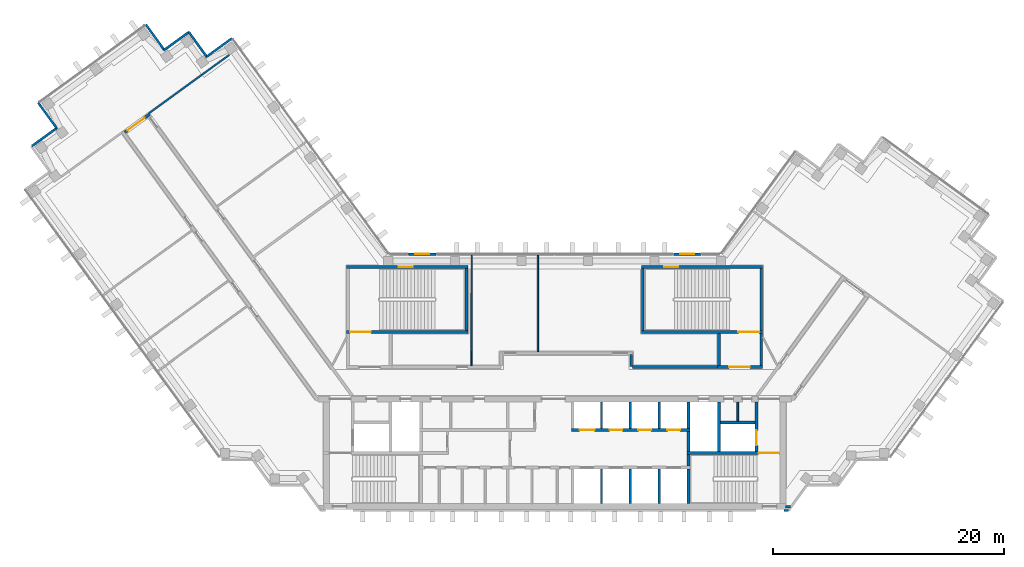
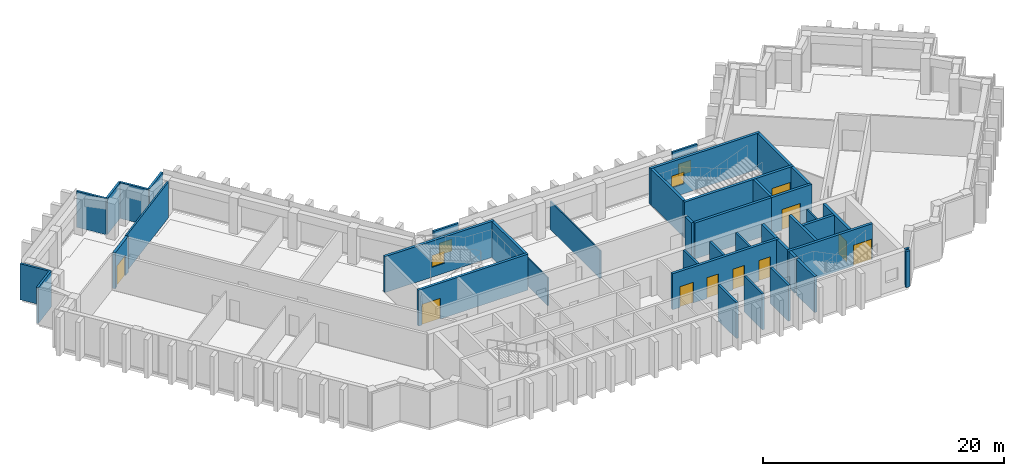
# One storey, part 6 of 9: 42 walls, 10 doors, 4 windows, 14 openings.
"""IFC4 building model written with IfcOpenShell, lengths in metres."""

from ifc_helpers import new_model, si_unit, direction, frame, frame_2d, origin, place, context, subcontext, project, spatial, rectangle, extrude, material, layer, layer_set, type_object, element, fill, save


model = new_model("IFC4")

# Units and contexts
model_context = context("Model", 3, precision=1e-05, world=origin(), true_north=direction((0.0, 1.0)))
body_context = subcontext(model_context, "Body", "Model", "MODEL_VIEW")
ifc_project = project(units=[si_unit("LENGTHUNIT", "METRE"), si_unit("AREAUNIT", "SQUARE_METRE"), si_unit("VOLUMEUNIT", "CUBIC_METRE"), si_unit("PLANEANGLEUNIT", "RADIAN"), si_unit("MASSUNIT", "GRAM", prefix="KILO")], contexts=[model_context])

# Site, building, storey
site_placement = place(None, origin())
site = spatial("IfcSite", under=ifc_project, at=site_placement, CompositionType="ELEMENT")
building_placement = place(site_placement, origin())
building = spatial("IfcBuilding", under=site, at=building_placement, Name="Quipu Civic Tower", CompositionType="ELEMENT")
storey_placement = place(building_placement, frame((0.0, 0.0, 194.0)))
storey = spatial("IfcBuildingStorey", under=building, at=storey_placement, Name="L45", CompositionType="ELEMENT", Elevation=194.0)

# Walls
ifc_material_1 = material(Name="Double gypsum plasterboard with mineral wool")
ifc_layer_1 = layer(ifc_material_1, 0.14990234375)
ifc_layer_set_1 = layer_set([ifc_layer_1], Name="Double gypsum plasterboard with mineral wool")
wall_type_1 = type_object("IfcWallType", Name="Acoustic partition 150 plasterboard", PredefinedType="PARTITIONING", material=ifc_layer_set_1)
wall_1_placement = place(storey_placement, frame((-28.16845703125, 28.341064453125, 0.0), z_axis=(0.0, 0.0, 1.0), x_axis=(-0.809030614944, -0.58776650473, 0.0)))
element("IfcWall", 1, at=wall_1_placement, inside=storey, type_object=wall_type_1, Name="Partition P06", PredefinedType="PARTITIONING", context=body_context, shape_type="SweptSolid", body=[
    extrude(rectangle(XDim=8.599853515625, YDim=0.14990234375, at=frame_2d((4.2998046875, 0.0))), origin(), (0.0, 0.0, 1.0), 3.64990234375),
])
ifc_material_2 = material(Name="Concrete C70/85", Category="concrete")
ifc_layer_2 = layer(ifc_material_2, 0.25)
ifc_layer_set_2 = layer_set([ifc_layer_2], Name="Concrete C70/85")
wall_type_2 = type_object("IfcWallType", Name="Core wall 250", PredefinedType="SHEAR", material=ifc_layer_set_2)
wall_2_placement = place(storey_placement, frame((11.574951171875, -10.5, 0.0), z_axis=(0.0, 0.0, 1.0), x_axis=(0.0, 1.0, 0.0)))
element("IfcWall", 2, at=wall_2_placement, inside=storey, type_object=wall_type_2, Name="Core wall", PredefinedType="SHEAR", context=body_context, shape_type="SweptSolid", body=[
    extrude(rectangle(XDim=3.0, YDim=0.25, at=frame_2d((1.5, 0.0))), origin(), (0.0, 0.0, 1.0), 3.64990234375),
])
wall_3_placement = place(storey_placement, frame((11.574951171875, -7.25, 0.0), z_axis=(0.0, 0.0, 1.0), x_axis=(0.0, 1.0, 0.0)))
element("IfcWall", 3, at=wall_3_placement, inside=storey, type_object=wall_type_2, Name="Core wall", PredefinedType="SHEAR", context=body_context, shape_type="SweptSolid", body=[
    extrude(rectangle(XDim=1.0, YDim=0.25, at=frame_2d((0.5, 0.0))), origin(), (0.0, 0.0, 1.0), 3.64990234375),
])

# Wall, opening, door
wall_4_placement = place(storey_placement, frame((19.5, -6.125, 0.0), z_axis=(0.0, 0.0, 1.0), x_axis=(-1.0, 0.0, 0.0)))
wall_4 = element("IfcWall", 4, at=wall_4_placement, inside=storey, type_object=wall_type_2, Name="Core wall", PredefinedType="SHEAR", context=body_context, shape_type="SweptSolid", body=[
    extrude(rectangle(XDim=8.050048828125, YDim=0.25, at=frame_2d((4.02490234375, 0.0))), origin(), (0.0, 0.0, 1.0), 3.64990234375),
])
opening_1_placement = place(wall_4_placement, frame((0.050048828125, 0.0, 0.0)))
opening_1 = element("IfcOpeningElement", 5, at=opening_1_placement, cuts=wall_4, Name="Opening CD-09", PredefinedType="OPENING", context=body_context, shape_type="SweptSolid", body=[
    extrude(rectangle(XDim=1.800048828125, YDim=2.10009765625, at=frame_2d((0.89990234375, 1.050048828125))), frame((0.0, 0.135009765625, 0.0), z_axis=(0.0, -1.0, 0.0), x_axis=(1.0, 0.0, 0.0)), (0.0, 0.0, 1.0), 0.27001953125),
])
ifc_material_3 = material(Name="Fire rated steel door", Category="steel")
door_type_1 = type_object("IfcDoorType", Name="Fire door FD90 double 1800 x 2100", OperationType="NOTDEFINED", PredefinedType="DOOR", material=ifc_material_3)
door_1_placement = place(opening_1_placement, origin())
door_1 = element("IfcDoor", 6, at=door_1_placement, inside=storey, type_object=door_type_1, Name="Door", OperationType="DOUBLE_DOOR_SINGLE_SWING", OverallHeight=2.10009765625, OverallWidth=1.800048828125, PredefinedType="DOOR", context=body_context, shape_type="SweptSolid", body=[
    extrude(rectangle(XDim=1.800048828125, YDim=2.10009765625, at=frame_2d((0.89990234375, 1.050048828125))), frame((0.0, 0.02490234375, 0.0), z_axis=(0.0, -1.0, 0.0), x_axis=(1.0, 0.0, 0.0)), (0.0, 0.0, 1.0), 0.050048828125),
])
fill(opening_1, door_1)

# Walls
wall_5_placement = place(storey_placement, frame((11.574951171875, -6.0, 0.0), z_axis=(0.0, 0.0, 1.0), x_axis=(0.0, 1.0, 0.0)))
element("IfcWall", 7, at=wall_5_placement, inside=storey, type_object=wall_type_2, Name="Core wall", PredefinedType="SHEAR", context=body_context, shape_type="SweptSolid", body=[
    extrude(rectangle(XDim=1.75, YDim=0.25, at=frame_2d((0.875, 0.0))), origin(), (0.0, 0.0, 1.0), 3.64990234375),
])
wall_6_placement = place(storey_placement, frame((14.22509765625, -6.0, 0.0), z_axis=(0.0, 0.0, 1.0), x_axis=(0.0, 1.0, 0.0)))
element("IfcWall", 8, at=wall_6_placement, inside=storey, type_object=wall_type_2, Name="Core wall", PredefinedType="SHEAR", context=body_context, shape_type="SweptSolid", body=[
    extrude(rectangle(XDim=4.300048828125, YDim=0.25, at=frame_2d((2.14990234375, 0.0))), origin(), (0.0, 0.0, 1.0), 3.64990234375),
])

# Wall, opening, door
wall_7_placement = place(storey_placement, frame((17.47509765625, -6.0, 0.0), z_axis=(0.0, 0.0, 1.0), x_axis=(0.0, 1.0, 0.0)))
wall_7 = element("IfcWall", 9, at=wall_7_placement, inside=storey, type_object=wall_type_2, Name="Core wall", PredefinedType="SHEAR", context=body_context, shape_type="SweptSolid", body=[
    extrude(rectangle(XDim=4.300048828125, YDim=0.25, at=frame_2d((2.14990234375, 0.0))), origin(), (0.0, 0.0, 1.0), 3.64990234375),
])
opening_2_placement = place(wall_7_placement, frame((0.550048828125, 0.0, 0.0)))
opening_2 = element("IfcOpeningElement", 10, at=opening_2_placement, cuts=wall_7, Name="Opening LD-FF2", PredefinedType="OPENING", context=body_context, shape_type="SweptSolid", body=[
    extrude(rectangle(XDim=1.300048828125, YDim=2.10009765625, at=frame_2d((0.64990234375, 1.050048828125))), frame((0.0, 0.135009765625, 0.0), z_axis=(0.0, -1.0, 0.0), x_axis=(1.0, 0.0, 0.0)), (0.0, 0.0, 1.0), 0.27001953125),
])
ifc_material_4 = material(Name="Stainless steel", Category="steel")
door_type_2 = type_object("IfcDoorType", Name="Lift landing door 1300 x 2100", OperationType="DOUBLE_DOOR_SLIDING", PredefinedType="DOOR", material=ifc_material_4)
door_2_placement = place(opening_2_placement, origin())
door_2 = element("IfcDoor", 11, at=door_2_placement, inside=storey, type_object=door_type_2, Name="Landing door FF2", OperationType="DOUBLE_DOOR_SLIDING", OverallHeight=2.10009765625, OverallWidth=1.300048828125, PredefinedType="DOOR", context=body_context, shape_type="SweptSolid", body=[
    extrude(rectangle(XDim=1.300048828125, YDim=2.10009765625, at=frame_2d((0.64990234375, 1.050048828125))), frame((0.0, 0.02490234375, 0.0), z_axis=(0.0, -1.0, 0.0), x_axis=(1.0, 0.0, 0.0)), (0.0, 0.0, 1.0), 0.050048828125),
])
fill(opening_2, door_2)

# Wall, openings, doors
wall_8_placement = place(storey_placement, frame((1.449951171875, -4.125, 0.0), z_axis=(0.0, 0.0, 1.0), x_axis=(1.0, 0.0, 0.0)))
wall_8 = element("IfcWall", 12, at=wall_8_placement, inside=storey, type_object=wall_type_2, Name="Core wall", PredefinedType="SHEAR", context=body_context, shape_type="SweptSolid", body=[
    extrude(rectangle(XDim=10.25, YDim=0.25, at=frame_2d((5.125, 0.0))), origin(), (0.0, 0.0, 1.0), 3.64990234375),
])
opening_3_placement = place(wall_8_placement, frame((0.699951171875, 0.0, 0.0)))
opening_3 = element("IfcOpeningElement", 13, at=opening_3_placement, cuts=wall_8, Name="Opening LD-FF3", PredefinedType="OPENING", context=body_context, shape_type="SweptSolid", body=[
    extrude(rectangle(XDim=1.300048828125, YDim=2.10009765625, at=frame_2d((0.64990234375, 1.050048828125))), frame((0.0, 0.135009765625, 0.0), z_axis=(0.0, -1.0, 0.0), x_axis=(1.0, 0.0, 0.0)), (0.0, 0.0, 1.0), 0.27001953125),
])
opening_4_placement = place(wall_8_placement, frame((3.300048828125, 0.0, 0.0)))
opening_4 = element("IfcOpeningElement", 14, at=opening_4_placement, cuts=wall_8, Name="Opening LD-ML5", PredefinedType="OPENING", context=body_context, shape_type="SweptSolid", body=[
    extrude(rectangle(XDim=1.10009765625, YDim=2.10009765625, at=frame_2d((0.550048828125, 1.050048828125))), frame((0.0, 0.135009765625, 0.0), z_axis=(0.0, -1.0, 0.0), x_axis=(1.0, 0.0, 0.0)), (0.0, 0.0, 1.0), 0.27001953125),
])
opening_5_placement = place(wall_8_placement, frame((5.800048828125, 0.0, 0.0)))
opening_5 = element("IfcOpeningElement", 15, at=opening_5_placement, cuts=wall_8, Name="Opening LD-ML6", PredefinedType="OPENING", context=body_context, shape_type="SweptSolid", body=[
    extrude(rectangle(XDim=1.10009765625, YDim=2.10009765625, at=frame_2d((0.550048828125, 1.050048828125))), frame((0.0, 0.135009765625, 0.0), z_axis=(0.0, -1.0, 0.0), x_axis=(1.0, 0.0, 0.0)), (0.0, 0.0, 1.0), 0.27001953125),
])
opening_6_placement = place(wall_8_placement, frame((8.300048828125, 0.0, 0.0)))
opening_6 = element("IfcOpeningElement", 16, at=opening_6_placement, cuts=wall_8, Name="Opening LD-ML7", PredefinedType="OPENING", context=body_context, shape_type="SweptSolid", body=[
    extrude(rectangle(XDim=1.10009765625, YDim=2.10009765625, at=frame_2d((0.550048828125, 1.050048828125))), frame((0.0, 0.135009765625, 0.0), z_axis=(0.0, -1.0, 0.0), x_axis=(1.0, 0.0, 0.0)), (0.0, 0.0, 1.0), 0.27001953125),
])
ifc_material_5 = material(Name="Stainless steel", Category="steel")
door_type_3 = type_object("IfcDoorType", Name="Lift landing door 1100 x 2100", OperationType="DOUBLE_DOOR_SLIDING", PredefinedType="DOOR", material=ifc_material_5)
door_3_placement = place(opening_4_placement, origin())
door_3 = element("IfcDoor", 17, at=door_3_placement, inside=storey, type_object=door_type_3, Name="Landing door ML5", OperationType="DOUBLE_DOOR_SLIDING", OverallHeight=2.10009765625, OverallWidth=1.10009765625, PredefinedType="DOOR", context=body_context, shape_type="SweptSolid", body=[
    extrude(rectangle(XDim=1.10009765625, YDim=2.10009765625, at=frame_2d((0.550048828125, 1.050048828125))), frame((0.0, 0.02490234375, 0.0), z_axis=(0.0, -1.0, 0.0), x_axis=(1.0, 0.0, 0.0)), (0.0, 0.0, 1.0), 0.050048828125),
])
fill(opening_4, door_3)
door_4_placement = place(opening_5_placement, origin())
door_4 = element("IfcDoor", 18, at=door_4_placement, inside=storey, type_object=door_type_3, Name="Landing door ML6", OperationType="DOUBLE_DOOR_SLIDING", OverallHeight=2.10009765625, OverallWidth=1.10009765625, PredefinedType="DOOR", context=body_context, shape_type="SweptSolid", body=[
    extrude(rectangle(XDim=1.10009765625, YDim=2.10009765625, at=frame_2d((0.550048828125, 1.050048828125))), frame((0.0, 0.02490234375, 0.0), z_axis=(0.0, -1.0, 0.0), x_axis=(1.0, 0.0, 0.0)), (0.0, 0.0, 1.0), 0.050048828125),
])
fill(opening_5, door_4)
door_5_placement = place(opening_6_placement, origin())
door_5 = element("IfcDoor", 19, at=door_5_placement, inside=storey, type_object=door_type_3, Name="Landing door ML7", OperationType="DOUBLE_DOOR_SLIDING", OverallHeight=2.10009765625, OverallWidth=1.10009765625, PredefinedType="DOOR", context=body_context, shape_type="SweptSolid", body=[
    extrude(rectangle(XDim=1.10009765625, YDim=2.10009765625, at=frame_2d((0.550048828125, 1.050048828125))), frame((0.0, 0.02490234375, 0.0), z_axis=(0.0, -1.0, 0.0), x_axis=(1.0, 0.0, 0.0)), (0.0, 0.0, 1.0), 0.050048828125),
])
fill(opening_6, door_5)
door_6_placement = place(opening_3_placement, origin())
door_6 = element("IfcDoor", 20, at=door_6_placement, inside=storey, type_object=door_type_2, Name="Landing door FF3", OperationType="DOUBLE_DOOR_SLIDING", OverallHeight=2.10009765625, OverallWidth=1.300048828125, PredefinedType="DOOR", context=body_context, shape_type="SweptSolid", body=[
    extrude(rectangle(XDim=1.300048828125, YDim=2.10009765625, at=frame_2d((0.64990234375, 1.050048828125))), frame((0.0, 0.02490234375, 0.0), z_axis=(0.0, -1.0, 0.0), x_axis=(1.0, 0.0, 0.0)), (0.0, 0.0, 1.0), 0.050048828125),
])
fill(opening_3, door_6)

# Walls
wall_9_placement = place(storey_placement, frame((11.574951171875, -4.0, 0.0), z_axis=(0.0, 0.0, 1.0), x_axis=(0.0, 1.0, 0.0)))
element("IfcWall", 21, at=wall_9_placement, inside=storey, type_object=wall_type_2, Name="Core wall", PredefinedType="SHEAR", context=body_context, shape_type="SweptSolid", body=[
    extrude(rectangle(XDim=2.300048828125, YDim=0.25, at=frame_2d((1.14990234375, 0.0))), origin(), (0.0, 0.0, 1.0), 3.64990234375),
])
wall_10_placement = place(storey_placement, frame((14.35009765625, -3.47509765625, 0.0), z_axis=(0.0, 0.0, 1.0), x_axis=(1.0, 0.0, 0.0)))
element("IfcWall", 22, at=wall_10_placement, inside=storey, type_object=wall_type_2, Name="Core wall", PredefinedType="SHEAR", context=body_context, shape_type="SweptSolid", body=[
    extrude(rectangle(XDim=3.0, YDim=0.25, at=frame_2d((1.5, 0.0))), origin(), (0.0, 0.0, 1.0), 3.64990234375),
])

# Wall, opening, door
wall_11_placement = place(storey_placement, frame((-18.0, 4.375, 0.0), z_axis=(0.0, 0.0, 1.0), x_axis=(1.0, 0.0, 0.0)))
wall_11 = element("IfcWall", 23, at=wall_11_placement, inside=storey, type_object=wall_type_2, Name="Core wall", PredefinedType="SHEAR", context=body_context, shape_type="SweptSolid", body=[
    extrude(rectangle(XDim=10.5, YDim=0.25, at=frame_2d((5.25, 0.0))), origin(), (0.0, 0.0, 1.0), 3.64990234375),
])
opening_7_placement = place(wall_11_placement, frame((0.300048828125, 0.0, 0.0)))
opening_7 = element("IfcOpeningElement", 24, at=opening_7_placement, cuts=wall_11, Name="Opening CD-24", PredefinedType="OPENING", context=body_context, shape_type="SweptSolid", body=[
    extrude(rectangle(XDim=1.800048828125, YDim=2.10009765625, at=frame_2d((0.89990234375, 1.050048828125))), frame((0.0, 0.135009765625, 0.0), z_axis=(0.0, -1.0, 0.0), x_axis=(1.0, 0.0, 0.0)), (0.0, 0.0, 1.0), 0.27001953125),
])
door_7_placement = place(opening_7_placement, origin())
door_7 = element("IfcDoor", 25, at=door_7_placement, inside=storey, type_object=door_type_1, Name="Door", OperationType="DOUBLE_DOOR_SINGLE_SWING", OverallHeight=2.10009765625, OverallWidth=1.800048828125, PredefinedType="DOOR", context=body_context, shape_type="SweptSolid", body=[
    extrude(rectangle(XDim=1.800048828125, YDim=2.10009765625, at=frame_2d((0.89990234375, 1.050048828125))), frame((0.0, 0.02490234375, 0.0), z_axis=(0.0, -1.0, 0.0), x_axis=(1.0, 0.0, 0.0)), (0.0, 0.0, 1.0), 0.050048828125),
])
fill(opening_7, door_7)

# Wall
wall_12_placement = place(storey_placement, frame((-7.625, 4.5, 0.0), z_axis=(0.0, 0.0, 1.0), x_axis=(0.0, 1.0, 0.0)))
element("IfcWall", 26, at=wall_12_placement, inside=storey, type_object=wall_type_2, Name="Core wall", PredefinedType="SHEAR", context=body_context, shape_type="SweptSolid", body=[
    extrude(rectangle(XDim=5.35009765625, YDim=0.25, at=frame_2d((2.675048828125, 0.0))), origin(), (0.0, 0.0, 1.0), 3.64990234375),
])

# Wall, opening, window
wall_13_placement = place(storey_placement, frame((-18.0, 9.97509765625, 0.0), z_axis=(0.0, 0.0, 1.0), x_axis=(1.0, 0.0, 0.0)))
wall_13 = element("IfcWall", 27, at=wall_13_placement, inside=storey, type_object=wall_type_2, Name="Core wall", PredefinedType="SHEAR", context=body_context, shape_type="SweptSolid", body=[
    extrude(rectangle(XDim=10.5, YDim=0.25, at=frame_2d((5.25, 0.0))), origin(), (0.0, 0.0, 1.0), 3.64990234375),
])
opening_8_placement = place(wall_13_placement, frame((4.5, 0.0, 1.0)))
opening_8 = element("IfcOpeningElement", 28, at=opening_8_placement, cuts=wall_13, Name="Opening SV-3", PredefinedType="OPENING", context=body_context, shape_type="SweptSolid", body=[
    extrude(rectangle(XDim=1.199951171875, YDim=1.199951171875, at=frame_2d((0.60009765625, 0.60009765625))), frame((0.0, 0.135009765625, 0.0), z_axis=(0.0, -1.0, 0.0), x_axis=(1.0, 0.0, 0.0)), (0.0, 0.0, 1.0), 0.27001953125),
])
ifc_material_6 = material(Name="Aluminium louvre", Category="aluminium")
window_type_1 = type_object("IfcWindowType", Name="Stair ventilation louvre 1200 x 1200", PartitioningType="SINGLE_PANEL", PredefinedType="WINDOW", material=ifc_material_6)
window_1_placement = place(opening_8_placement, origin())
window_1 = element("IfcWindow", 29, at=window_1_placement, inside=storey, type_object=window_type_1, Name="Stair ventilation opening", OverallHeight=1.199951171875, OverallWidth=1.199951171875, PartitioningType="SINGLE_PANEL", PredefinedType="WINDOW", context=body_context, shape_type="SweptSolid", body=[
    extrude(rectangle(XDim=1.199951171875, YDim=1.199951171875, at=frame_2d((0.60009765625, 0.60009765625))), frame((0.0, 0.030029296875, 0.0), z_axis=(0.0, -1.0, 0.0), x_axis=(1.0, 0.0, 0.0)), (0.0, 0.0, 1.0), 0.06005859375),
])
fill(opening_8, window_1)

# Wall, opening, door
wall_14_placement = place(storey_placement, frame((14.10009765625, 1.324951171875, 0.0), z_axis=(0.0, 0.0, 1.0), x_axis=(1.0, 0.0, 0.0)))
wall_14 = element("IfcWall", 30, at=wall_14_placement, inside=storey, type_object=wall_type_2, Name="Core wall", PredefinedType="SHEAR", context=body_context, shape_type="SweptSolid", body=[
    extrude(rectangle(XDim=3.89990234375, YDim=0.25, at=frame_2d((1.949951171875, 0.0))), origin(), (0.0, 0.0, 1.0), 3.64990234375),
])
opening_9_placement = place(wall_14_placement, frame((1.0, 0.0, 0.0)))
opening_9 = element("IfcOpeningElement", 31, at=opening_9_placement, cuts=wall_14, Name="Opening CD-25", PredefinedType="OPENING", context=body_context, shape_type="SweptSolid", body=[
    extrude(rectangle(XDim=1.800048828125, YDim=2.10009765625, at=frame_2d((0.89990234375, 1.050048828125))), frame((0.0, 0.135009765625, 0.0), z_axis=(0.0, -1.0, 0.0), x_axis=(1.0, 0.0, 0.0)), (0.0, 0.0, 1.0), 0.27001953125),
])
door_8_placement = place(opening_9_placement, origin())
door_8 = element("IfcDoor", 32, at=door_8_placement, inside=storey, type_object=door_type_1, Name="Lobby door", OperationType="DOUBLE_DOOR_SINGLE_SWING", OverallHeight=2.10009765625, OverallWidth=1.800048828125, PredefinedType="DOOR", context=body_context, shape_type="SweptSolid", body=[
    extrude(rectangle(XDim=1.800048828125, YDim=2.10009765625, at=frame_2d((0.89990234375, 1.050048828125))), frame((0.0, 0.02490234375, 0.0), z_axis=(0.0, -1.0, 0.0), x_axis=(1.0, 0.0, 0.0)), (0.0, 0.0, 1.0), 0.050048828125),
])
fill(opening_9, door_8)

# Walls
for number, where, z_axis, x_axis, name in (
    (33, (14.22509765625, 1.449951171875, 0.0), (0.0, 0.0, 1.0), (0.0, 1.0, 0.0), "Core wall"),
    (34, (17.875, 1.449951171875, 0.0), (0.0, 0.0, 1.0), (0.0, 1.0, 0.0), "Core wall"),
):
    element("IfcWall", number, at=place(storey_placement, frame(where, z_axis=z_axis, x_axis=x_axis)), inside=storey, type_object=wall_type_2, Name=name, PredefinedType="SHEAR", context=body_context, shape_type="SweptSolid", body=[
        extrude(rectangle(XDim=2.800048828125, YDim=0.25, at=frame_2d((1.39990234375, 0.0))), origin(), (0.0, 0.0, 1.0), 3.64990234375),
    ])

# Wall, opening, door
wall_15_placement = place(storey_placement, frame((7.5, 4.375, 0.0), z_axis=(0.0, 0.0, 1.0), x_axis=(1.0, 0.0, 0.0)))
wall_15 = element("IfcWall", 35, at=wall_15_placement, inside=storey, type_object=wall_type_2, Name="Core wall", PredefinedType="SHEAR", context=body_context, shape_type="SweptSolid", body=[
    extrude(rectangle(XDim=10.5, YDim=0.25, at=frame_2d((5.25, 0.0))), origin(), (0.0, 0.0, 1.0), 3.64990234375),
])
opening_10_placement = place(wall_15_placement, frame((8.39990234375, 0.0, 0.0)))
opening_10 = element("IfcOpeningElement", 36, at=opening_10_placement, cuts=wall_15, Name="Opening CD-26", PredefinedType="OPENING", context=body_context, shape_type="SweptSolid", body=[
    extrude(rectangle(XDim=1.800048828125, YDim=2.10009765625, at=frame_2d((0.89990234375, 1.050048828125))), frame((0.0, 0.135009765625, 0.0), z_axis=(0.0, -1.0, 0.0), x_axis=(1.0, 0.0, 0.0)), (0.0, 0.0, 1.0), 0.27001953125),
])
door_9_placement = place(opening_10_placement, origin())
door_9 = element("IfcDoor", 37, at=door_9_placement, inside=storey, type_object=door_type_1, Name="Door", OperationType="DOUBLE_DOOR_SINGLE_SWING", OverallHeight=2.10009765625, OverallWidth=1.800048828125, PredefinedType="DOOR", context=body_context, shape_type="SweptSolid", body=[
    extrude(rectangle(XDim=1.800048828125, YDim=2.10009765625, at=frame_2d((0.89990234375, 1.050048828125))), frame((0.0, 0.02490234375, 0.0), z_axis=(0.0, -1.0, 0.0), x_axis=(1.0, 0.0, 0.0)), (0.0, 0.0, 1.0), 0.050048828125),
])
fill(opening_10, door_9)

# Walls
for number, where, z_axis, x_axis, name in (
    (38, (7.625, 4.5, 0.0), (0.0, 0.0, 1.0), (0.0, 1.0, 0.0), "Core wall"),
    (39, (17.875, 4.5, 0.0), (0.0, 0.0, 1.0), (0.0, 1.0, 0.0), "Core wall"),
):
    element("IfcWall", number, at=place(storey_placement, frame(where, z_axis=z_axis, x_axis=x_axis)), inside=storey, type_object=wall_type_2, Name=name, PredefinedType="SHEAR", context=body_context, shape_type="SweptSolid", body=[
        extrude(rectangle(XDim=5.35009765625, YDim=0.25, at=frame_2d((2.675048828125, 0.0))), origin(), (0.0, 0.0, 1.0), 3.64990234375),
    ])

# Wall, opening, window
wall_16_placement = place(storey_placement, frame((7.5, 9.97509765625, 0.0), z_axis=(0.0, 0.0, 1.0), x_axis=(1.0, 0.0, 0.0)))
wall_16 = element("IfcWall", 40, at=wall_16_placement, inside=storey, type_object=wall_type_2, Name="Core wall", PredefinedType="SHEAR", context=body_context, shape_type="SweptSolid", body=[
    extrude(rectangle(XDim=10.5, YDim=0.25, at=frame_2d((5.25, 0.0))), origin(), (0.0, 0.0, 1.0), 3.64990234375),
])
opening_11_placement = place(wall_16_placement, frame((2.0, 0.0, 1.0)))
opening_11 = element("IfcOpeningElement", 41, at=opening_11_placement, cuts=wall_16, Name="Opening SV-4", PredefinedType="OPENING", context=body_context, shape_type="SweptSolid", body=[
    extrude(rectangle(XDim=1.199951171875, YDim=1.199951171875, at=frame_2d((0.60009765625, 0.60009765625))), frame((0.0, 0.135009765625, 0.0), z_axis=(0.0, -1.0, 0.0), x_axis=(1.0, 0.0, 0.0)), (0.0, 0.0, 1.0), 0.27001953125),
])
window_2_placement = place(opening_11_placement, origin())
window_2 = element("IfcWindow", 42, at=window_2_placement, inside=storey, type_object=window_type_1, Name="Stair ventilation opening", OverallHeight=1.199951171875, OverallWidth=1.199951171875, PartitioningType="SINGLE_PANEL", PredefinedType="WINDOW", context=body_context, shape_type="SweptSolid", body=[
    extrude(rectangle(XDim=1.199951171875, YDim=1.199951171875, at=frame_2d((0.60009765625, 0.60009765625))), frame((0.0, 0.030029296875, 0.0), z_axis=(0.0, -1.0, 0.0), x_axis=(1.0, 0.0, 0.0)), (0.0, 0.0, 1.0), 0.06005859375),
])
fill(opening_11, window_2)

# Wall, opening, door
ifc_material_7 = material(Name="Concrete C50/60", Category="concrete")
ifc_layer_3 = layer(ifc_material_7, 0.25)
ifc_layer_set_3 = layer_set([ifc_layer_3], Name="Concrete C50/60")
wall_type_3 = type_object("IfcWallType", Name="Corridor wall 250 concrete", PredefinedType="SOLIDWALL", material=ifc_layer_set_3)
wall_17_placement = place(storey_placement, frame((-37.20849609375, 21.643798828125, 0.0), z_axis=(0.0, 0.0, 1.0), x_axis=(0.809038743598, 0.587755315891, 0.0)))
wall_17 = element("IfcWall", 43, at=wall_17_placement, inside=storey, type_object=wall_type_3, Name="Corridor wall C05", PredefinedType="SOLIDWALL", context=body_context, shape_type="SweptSolid", body=[
    extrude(rectangle(XDim=2.650146484375, YDim=0.25, at=frame_2d((1.3251953125, 0.0))), origin(), (0.0, 0.0, 1.0), 3.64990234375),
])
opening_12_placement = place(wall_17_placement, frame((0.2998046875, 0.0, 0.0)))
opening_12 = element("IfcOpeningElement", 44, at=opening_12_placement, cuts=wall_17, Name="Opening D014", PredefinedType="OPENING", context=body_context, shape_type="SweptSolid", body=[
    extrude(rectangle(XDim=1.800048828125, YDim=2.10009765625, at=frame_2d((0.89990234375, 1.050048828125))), frame((0.0, 0.135009765625, 0.0), z_axis=(0.0, -1.0, 0.0), x_axis=(1.0, 0.0, 0.0)), (0.0, 0.0, 1.0), 0.27001953125),
])
ifc_material_8 = material(Name="Fire rated timber door set with metal frame", Category="wood")
door_type_4 = type_object("IfcDoorType", Name="Double door 1800 x 2100 FD60", OperationType="DOUBLE_DOOR_SINGLE_SWING", PredefinedType="DOOR", material=ifc_material_8)
door_10_placement = place(opening_12_placement, origin())
door_10 = element("IfcDoor", 45, at=door_10_placement, inside=storey, type_object=door_type_4, Name="Door D014", OperationType="DOUBLE_DOOR_SINGLE_SWING", OverallHeight=2.10009765625, OverallWidth=1.800048828125, PredefinedType="DOOR", context=body_context, shape_type="SweptSolid", body=[
    extrude(rectangle(XDim=1.800048828125, YDim=2.10009765625, at=frame_2d((0.89990234375, 1.050048828125))), frame((0.0, 0.02490234375, 0.0), z_axis=(0.0, -1.0, 0.0), x_axis=(1.0, 0.0, 0.0)), (0.0, 0.0, 1.0), 0.050048828125),
])
fill(opening_12, door_10)

# Walls
wall_18_placement = place(storey_placement, frame((6.625, 2.39990234375, 0.0), z_axis=(0.0, 0.0, 1.0), x_axis=(0.0, -1.0, 0.0)))
element("IfcWall", 46, at=wall_18_placement, inside=storey, type_object=wall_type_3, Name="Corridor wall C10", PredefinedType="SOLIDWALL", context=body_context, shape_type="SweptSolid", body=[
    extrude(rectangle(XDim=1.041259765625, YDim=0.25, at=frame_2d((0.5205078125, 0.0))), origin(), (0.0, 0.0, 1.0), 3.64990234375),
])
wall_19_placement = place(storey_placement, frame((6.753662109375, 1.324951171875, 0.0), z_axis=(0.0, 0.0, 1.0), x_axis=(1.0, 0.0, 0.0)))
element("IfcWall", 47, at=wall_19_placement, inside=storey, type_object=wall_type_3, Name="Corridor wall C11", PredefinedType="SOLIDWALL", context=body_context, shape_type="SweptSolid", body=[
    extrude(rectangle(XDim=7.33642578125, YDim=0.25, at=frame_2d((3.668212890625, 0.0))), origin(), (0.0, 0.0, 1.0), 3.64990234375),
])
ifc_material_9 = material(Name="Gypsum plasterboard on light gauge framing")
ifc_layer_4 = layer(ifc_material_9, 0.1201171875)
ifc_layer_set_4 = layer_set([ifc_layer_4], Name="Gypsum plasterboard on light gauge framing")
wall_type_4 = type_object("IfcWallType", Name="Partition 120 plasterboard", PredefinedType="PARTITIONING", material=ifc_layer_set_4)
wall_20_placement = place(storey_placement, frame((-1.458984375, 2.64990234375, 0.0), z_axis=(0.0, 0.0, 1.0), x_axis=(0.0, 1.0, 0.0)))
element("IfcWall", 48, at=wall_20_placement, inside=storey, type_object=wall_type_4, Name="Partition P02", PredefinedType="PARTITIONING", context=body_context, shape_type="SweptSolid", body=[
    extrude(rectangle(XDim=8.35009765625, YDim=0.1201171875, at=frame_2d((4.175048828125, 0.0))), origin(), (0.0, 0.0, 1.0), 2.85009765625),
])
wall_21_placement = place(storey_placement, frame((-7.17529296875, 11.0, 0.0), z_axis=(0.0, 0.0, 1.0), x_axis=(-0.002377476217, -0.999997173799, 0.0)))
element("IfcWall", 49, at=wall_21_placement, inside=storey, type_object=wall_type_4, Name="Partition P03", PredefinedType="PARTITIONING", context=body_context, shape_type="SweptSolid", body=[
    extrude(rectangle(XDim=9.550048828125, YDim=0.1201171875, at=frame_2d((4.77490234375, 0.0))), origin(), (0.0, 0.0, 1.0), 2.85009765625),
])
ifc_material_10 = material(Name="Gypsum board partition")
ifc_layer_5 = layer(ifc_material_10, 0.14990234375)
ifc_layer_set_5 = layer_set([ifc_layer_5], Name="Gypsum board partition")
wall_type_5 = type_object("IfcWallType", Name="Partition 150", PredefinedType="PARTITIONING", material=ifc_layer_set_5)
wall_22_placement = place(storey_placement, frame((15.85009765625, -3.35009765625, 0.0), z_axis=(0.0, 0.0, 1.0), x_axis=(0.0, 1.0, 0.0)))
element("IfcWall", 50, at=wall_22_placement, inside=storey, type_object=wall_type_5, Name="Partition", PredefinedType="PARTITIONING", context=body_context, shape_type="SweptSolid", body=[
    extrude(rectangle(XDim=1.650146484375, YDim=0.14990234375, at=frame_2d((0.8251953125, 0.0))), origin(), (0.0, 0.0, 1.0), 3.64990234375),
])

# Wall, opening, window
ifc_material_11 = material(Name="Precast concrete C40/50", Category="concrete")
wall_type_6 = type_object("IfcWallType", Name="Precast cladding wall", PredefinedType="SOLIDWALL", material=ifc_material_11)
wall_23_placement = place(storey_placement, frame((12.655029296875, 11.10009765625, 0.0), z_axis=(0.0, 0.0, 1.0), x_axis=(-1.0, 0.0, 0.0)))
wall_23 = element("IfcWall", 51, at=wall_23_placement, inside=storey, type_object=wall_type_6, Name="Vent surround SF-L45-2", PredefinedType="SOLIDWALL", context=body_context, shape_type="SweptSolid", body=[
    extrude(rectangle(XDim=2.3916015625, YDim=0.199951171875, at=frame_2d((1.19580078125, 0.0))), origin(), (0.0, 0.0, 1.0), 3.64990234375),
])
opening_13_placement = place(wall_23_placement, frame((0.595703125, 0.0, 1.0)))
opening_13 = element("IfcOpeningElement", 52, at=opening_13_placement, cuts=wall_23, Name="Opening SF-L45-2", PredefinedType="OPENING", context=body_context, shape_type="SweptSolid", body=[
    extrude(rectangle(XDim=1.199951171875, YDim=1.199951171875, at=frame_2d((0.60009765625, 0.60009765625))), frame((0.0, 0.10986328125, 0.0), z_axis=(0.0, -1.0, 0.0), x_axis=(1.0, 0.0, 0.0)), (0.0, 0.0, 1.0), 0.219970703125),
])
ifc_material_12 = material(Name="Anodised aluminium louvre", Category="aluminium")
window_type_2 = type_object("IfcWindowType", Name="Stair vent louvre window P3", PartitioningType="SINGLE_PANEL", PredefinedType="WINDOW", material=ifc_material_12)
window_3_placement = place(opening_13_placement, origin())
window_3 = element("IfcWindow", 53, at=window_3_placement, inside=storey, type_object=window_type_2, Name="Stair vent louvre SF-L45-2", OverallHeight=1.199951171875, OverallWidth=1.199951171875, PartitioningType="SINGLE_PANEL", PredefinedType="WINDOW", context=body_context, shape_type="SweptSolid", body=[
    extrude(rectangle(XDim=1.199951171875, YDim=1.199951171875, at=frame_2d((0.60009765625, 0.60009765625))), frame((0.0, 0.030029296875, 0.0), z_axis=(0.0, -1.0, 0.0), x_axis=(1.0, 0.0, 0.0)), (0.0, 0.0, 1.0), 0.06005859375),
])
fill(opening_13, window_3)

wall_24_placement = place(storey_placement, frame((-10.263427734375, 11.10009765625, 0.0), z_axis=(0.0, 0.0, 1.0), x_axis=(-1.0, 0.0, 0.0)))
wall_24 = element("IfcWall", 54, at=wall_24_placement, inside=storey, type_object=wall_type_6, Name="Vent surround SF-L45-1", PredefinedType="SOLIDWALL", context=body_context, shape_type="SweptSolid", body=[
    extrude(rectangle(XDim=2.3916015625, YDim=0.199951171875, at=frame_2d((1.19580078125, 0.0))), origin(), (0.0, 0.0, 1.0), 3.64990234375),
])
opening_14_placement = place(wall_24_placement, frame((0.595703125, 0.0, 1.0)))
opening_14 = element("IfcOpeningElement", 55, at=opening_14_placement, cuts=wall_24, Name="Opening SF-L45-1", PredefinedType="OPENING", context=body_context, shape_type="SweptSolid", body=[
    extrude(rectangle(XDim=1.199951171875, YDim=1.199951171875, at=frame_2d((0.60009765625, 0.60009765625))), frame((0.0, 0.10986328125, 0.0), z_axis=(0.0, -1.0, 0.0), x_axis=(1.0, 0.0, 0.0)), (0.0, 0.0, 1.0), 0.219970703125),
])
window_4_placement = place(opening_14_placement, origin())
window_4 = element("IfcWindow", 56, at=window_4_placement, inside=storey, type_object=window_type_2, Name="Stair vent louvre SF-L45-1", OverallHeight=1.199951171875, OverallWidth=1.199951171875, PartitioningType="SINGLE_PANEL", PredefinedType="WINDOW", context=body_context, shape_type="SweptSolid", body=[
    extrude(rectangle(XDim=1.199951171875, YDim=1.199951171875, at=frame_2d((0.60009765625, 0.60009765625))), frame((0.0, 0.030029296875, 0.0), z_axis=(0.0, -1.0, 0.0), x_axis=(1.0, 0.0, 0.0)), (0.0, 0.0, 1.0), 0.06005859375),
])
fill(opening_14, window_4)

# Walls
for number, where, z_axis, x_axis, name in (
    (57, (-27.92138671875, 29.787109375, 0.0), (0.0, 0.0, 1.0), (-0.809033161865, -0.587762999008, 0.0), "Precast cladding wall L45 18"),
    (58, (-30.08349609375, 28.149169921875, 0.0), (0.0, 0.0, 1.0), (-0.587762999008, 0.809033161865, 0.0), "Precast cladding wall L45 19"),
    (59, (-31.653564453125, 30.330810546875, 0.0), (0.0, 0.0, 1.0), (-0.809033161865, -0.587762999008, 0.0), "Precast cladding wall L45 20"),
    (60, (-33.80078125, 28.785888671875, 0.0), (0.0, 0.0, 1.0), (-0.587762999008, 0.809033161865, 0.0), "Precast cladding wall L45 21"),
    (61, (-44.699462890625, 24.20458984375, 0.0), (0.0, 0.0, 1.0), (0.587762999008, -0.809033161865, 0.0), "Precast cladding wall L45 23"),
    (62, (-43.060791015625, 22.04296875, 0.0), (0.0, 0.0, 1.0), (-0.809033161865, -0.587762999008, 0.0), "Precast cladding wall L45 24"),
):
    element("IfcWall", number, at=place(storey_placement, frame(where, z_axis=z_axis, x_axis=x_axis)), inside=storey, type_object=wall_type_6, Name=name, PredefinedType="SOLIDWALL", context=body_context, shape_type="SweptSolid", body=[
        extrude(rectangle(XDim=2.699951171875, YDim=0.199951171875, at=frame_2d((1.35009765625, 0.0))), origin(), (0.0, 0.0, 1.0), 3.64990234375),
    ])
wall_25_placement = place(storey_placement, frame((19.85009765625, -11.087890625, 0.0), z_axis=(0.0, 0.0, 1.0), x_axis=(1.0, 0.0, 0.0)))
element("IfcWall", 63, at=wall_25_placement, inside=storey, type_object=wall_type_6, Name="Precast cladding wall L45 34", PredefinedType="SOLIDWALL", context=body_context, shape_type="SweptSolid", body=[
    extrude(rectangle(XDim=0.40576171875, YDim=0.199951171875, at=frame_2d((0.202880859375, 0.0))), origin(), (0.0, 0.0, 1.0), 3.64990234375),
])
wall_26_placement = place(storey_placement, frame((19.97998046875, -10.75, 0.0), z_axis=(0.0, 0.0, 1.0), x_axis=(1.0, 0.0, 0.0)))
element("IfcWall", 64, at=wall_26_placement, inside=storey, type_object=wall_type_6, Name="Precast cladding return L45 E", PredefinedType="SOLIDWALL", context=body_context, shape_type="SweptSolid", body=[
    extrude(rectangle(XDim=0.41650390625, YDim=0.199951171875, at=frame_2d((0.208251953125, 0.0))), origin(), (0.0, 0.0, 1.0), 3.64990234375),
])
ifc_material_13 = material(Name="Concrete C40/50", Category="concrete")
ifc_layer_6 = layer(ifc_material_13, 0.199951171875)
ifc_layer_set_6 = layer_set([ifc_layer_6], Name="Concrete C40/50")
wall_type_7 = type_object("IfcWallType", Name="Shaft wall 200", PredefinedType="SOLIDWALL", material=ifc_layer_set_6)
for number, where, z_axis, x_axis, name in (
    (65, (4.050048828125, -10.5, 0.0), (0.0, 0.0, 1.0), (0.0, 1.0, 0.0), "Shaft wall"),
    (66, (6.550048828125, -10.5, 0.0), (0.0, 0.0, 1.0), (0.0, 1.0, 0.0), "Shaft wall"),
    (67, (9.050048828125, -10.5, 0.0), (0.0, 0.0, 1.0), (0.0, 1.0, 0.0), "Shaft wall"),
):
    element("IfcWall", number, at=place(storey_placement, frame(where, z_axis=z_axis, x_axis=x_axis)), inside=storey, type_object=wall_type_7, Name=name, PredefinedType="SOLIDWALL", context=body_context, shape_type="SweptSolid", body=[
        extrude(rectangle(XDim=3.0, YDim=0.199951171875, at=frame_2d((1.5, 0.0))), origin(), (0.0, 0.0, 1.0), 3.64990234375),
    ])
for number, where, z_axis, x_axis, name in (
    (68, (4.050048828125, -4.0, 0.0), (0.0, 0.0, 1.0), (0.0, 1.0, 0.0), "Shaft wall"),
    (69, (6.550048828125, -4.0, 0.0), (0.0, 0.0, 1.0), (0.0, 1.0, 0.0), "Shaft wall"),
    (70, (9.050048828125, -4.0, 0.0), (0.0, 0.0, 1.0), (0.0, 1.0, 0.0), "Shaft wall"),
):
    element("IfcWall", number, at=place(storey_placement, frame(where, z_axis=z_axis, x_axis=x_axis)), inside=storey, type_object=wall_type_7, Name=name, PredefinedType="SOLIDWALL", context=body_context, shape_type="SweptSolid", body=[
        extrude(rectangle(XDim=2.300048828125, YDim=0.199951171875, at=frame_2d((1.14990234375, 0.0))), origin(), (0.0, 0.0, 1.0), 3.64990234375),
    ])

save(model, "model.ifc")
